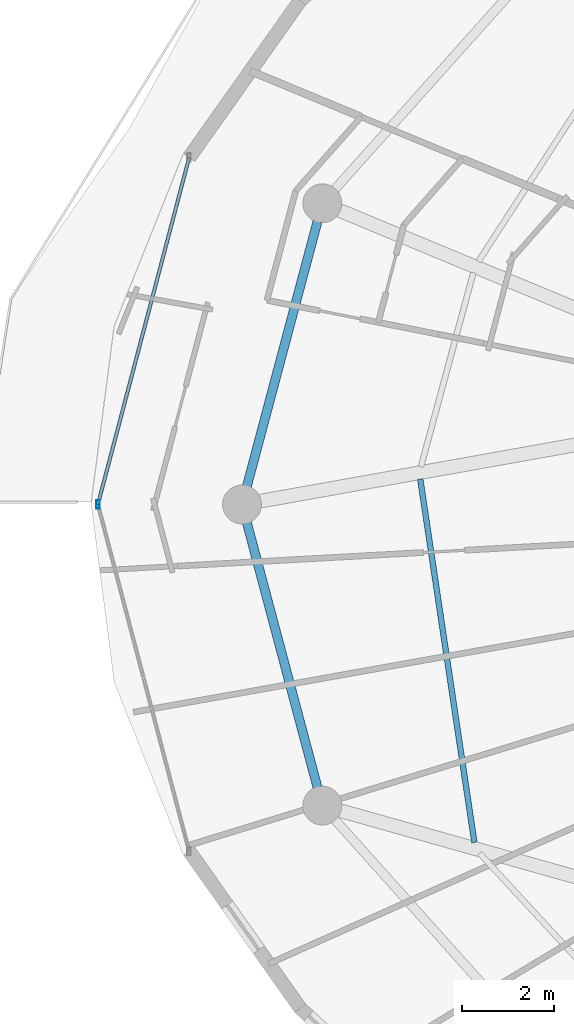
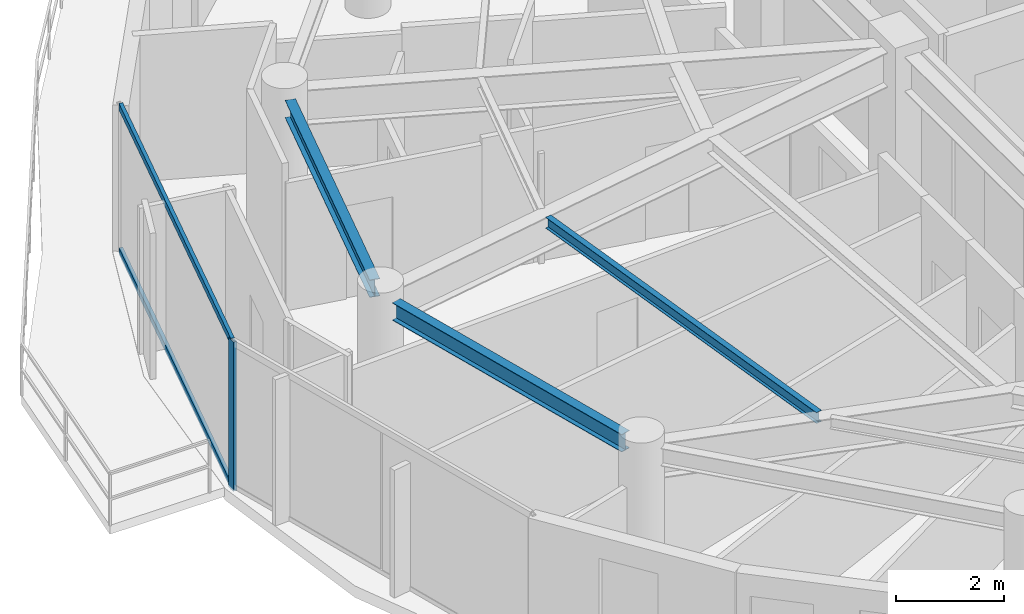
# One storey, part 6 of 29: 3 beams, 3 members, 1 element without a shape of its own.
"""IFC4 building model written with IfcOpenShell, lengths in metres."""

import ifcopenshell
import ifcopenshell.guid

model = None  # the IFC model being written
_history = None  # IfcOwnerHistory: only IFC2X3 demands one
_inside = {}  # id of a spatial element -> (the spatial element, [elements in it])
_under = {}  # id of a project, library or spatial element -> (it, [spatial elements below it])
_declared = {}  # id of a project -> (the project, [libraries it declares])
_typed = {}  # id of a type object -> (the type object, [elements of that type])
_made_of = {}  # id of a material, layer set ... -> (it, [elements and type objects made of it])


def new_model(schema):
    """Start an empty IFC model of exactly this schema.

    Asked for "IFC4X3", IfcOpenShell would pick the latest addendum, in which some entities
    have other attributes; the version numbers below select the first issue.
    IFC2X3 requires an IfcOwnerHistory on every rooted entity: one is made here for all.
    """
    global model, _history
    if schema == "IFC4X3":
        model = ifcopenshell.file(schema_version=(4, 3, 0, 0))
    else:
        model = ifcopenshell.file(schema=schema)
    _inside.clear()
    _under.clear()
    _declared.clear()
    _typed.clear()
    _made_of.clear()
    _history = None
    if model.schema == "IFC2X3":
        org = make("IfcOrganization", Name="unknown")
        user = make(
            "IfcPersonAndOrganization",
            ThePerson=make("IfcPerson", FamilyName="unknown"),
            TheOrganization=org,
        )
        app = make(
            "IfcApplication",
            ApplicationDeveloper=org,
            Version="unknown",
            ApplicationFullName="unknown",
            ApplicationIdentifier="unknown",
        )
        _history = make(
            "IfcOwnerHistory",
            OwningUser=user,
            OwningApplication=app,
            ChangeAction="ADDED",
            CreationDate=0,
        )
    return model


def make(cls, **values):
    """One entity of the class cls with the attributes given. An attribute that is None is left unset."""
    return model.create_entity(
        cls, **{name: value for name, value in values.items() if value is not None}
    )


def rooted(cls, **values):
    """An entity with a GlobalId (a new one), such as an element, a storey or a relation."""
    return make(cls, GlobalId=ifcopenshell.guid.new(), OwnerHistory=_history, **values)


def si_unit(unit_type, name, prefix=None):
    """IfcSIUnit, for example si_unit("LENGTHUNIT", "METRE", prefix="MILLI")."""
    return make("IfcSIUnit", UnitType=unit_type, Prefix=prefix, Name=name)


def assignment(units):
    """IfcUnitAssignment: the units of a project."""
    return None if units is None else make("IfcUnitAssignment", Units=units)


def point(xyz):
    """IfcCartesianPoint."""
    return None if xyz is None else make("IfcCartesianPoint", Coordinates=xyz)


def direction(xyz):
    """IfcDirection."""
    return None if xyz is None else make("IfcDirection", DirectionRatios=xyz)


def frame(location, z_axis=None, x_axis=None):
    """IfcAxis2Placement3D, a coordinate frame: its origin and axes. An axis left out is left unset."""
    return make(
        "IfcAxis2Placement3D",
        Location=point(location),
        Axis=direction(z_axis),
        RefDirection=direction(x_axis),
    )


def frame_2d(location, x_axis=None):
    """IfcAxis2Placement2D, a coordinate frame in the plane: its origin and x axis."""
    return make(
        "IfcAxis2Placement2D", Location=point(location), RefDirection=direction(x_axis)
    )


def origin():
    """The frame at (0, 0, 0) with its axes left unset."""
    return frame((0.0, 0.0, 0.0))


def origin_2d():
    """The frame at (0, 0) in the plane with its x axis left unset."""
    return frame_2d((0.0, 0.0))


def place(relative_to, where):
    """IfcLocalPlacement: puts the frame where relative to a parent placement (None: the world)."""
    return make(
        "IfcLocalPlacement", PlacementRelTo=relative_to, RelativePlacement=where
    )


def context(
    kind, dimensions, precision=None, world=None, true_north=None, identifier=None
):
    """IfcGeometricRepresentationContext, for example the 3D "Model" context."""
    return make(
        "IfcGeometricRepresentationContext",
        ContextIdentifier=identifier,
        ContextType=kind,
        CoordinateSpaceDimension=dimensions,
        Precision=precision,
        WorldCoordinateSystem=world,
        TrueNorth=true_north,
    )


def subcontext(parent, identifier, kind, view, scale=None):
    """IfcGeometricRepresentationSubContext, for example "Body" below "Model"."""
    return make(
        "IfcGeometricRepresentationSubContext",
        ContextIdentifier=identifier,
        ContextType=kind,
        ParentContext=parent,
        TargetScale=scale,
        TargetView=view,
    )


def project(units=None, contexts=None):
    """IfcProject with its units and contexts."""
    return rooted(
        "IfcProject",
        Name="project",
        RepresentationContexts=contexts,
        UnitsInContext=assignment(units),
    )


def spatial(cls, under=None, at=None, **own):
    """A site, building, storey or space (cls), placed at a placement, below another one or the project."""
    s = rooted(cls, ObjectPlacement=at, **own)
    if under is not None:
        _under.setdefault(under.id(), (under, []))[1].append(s)
    return s


def profile(cls, at=None, kind="AREA", **sizes):
    """A parametric profile (cls). Its sizes go by their IFC names, for example OverallWidth=200.0."""
    return make(cls, ProfileType=kind, Position=at, **sizes)


def hollow_rectangle(**sizes):
    """IfcRectangleHollowProfileDef."""
    return profile("IfcRectangleHollowProfileDef", **sizes)


def i_section(**sizes):
    """IfcIShapeProfileDef."""
    return profile("IfcIShapeProfileDef", **sizes)


def extrude(swept, where, along, depth):
    """IfcExtrudedAreaSolid: the profile swept, set in the frame where, extruded along a direction by depth."""
    return make(
        "IfcExtrudedAreaSolid",
        SweptArea=swept,
        Position=where,
        ExtrudedDirection=direction(along),
        Depth=depth,
    )


def shape(context_of_items, identifier, shape_type, items):
    """IfcShapeRepresentation: the items that make up one representation, for example the "Body"."""
    return make(
        "IfcShapeRepresentation",
        ContextOfItems=context_of_items,
        RepresentationIdentifier=identifier,
        RepresentationType=shape_type,
        Items=items,
    )


def material(Name=None, Category=None):
    """IfcMaterial."""
    return make("IfcMaterial", Name=Name, Category=Category)


def material_profile(
    of_material, cross_section, Name=None, Category=None, Priority=None
):
    """IfcMaterialProfile: a cross section and its material."""
    return make(
        "IfcMaterialProfile",
        Name=Name,
        Material=of_material,
        Profile=cross_section,
        Priority=Priority,
        Category=Category,
    )


def profile_set(profiles, Name=None, composite=None):
    """IfcMaterialProfileSet."""
    return make(
        "IfcMaterialProfileSet",
        Name=Name,
        MaterialProfiles=profiles,
        CompositeProfile=composite,
    )


def made_of(thing, what):
    """Note that an element or type object is made of a material, layer set ...; save() writes the relation."""
    if what is not None:
        _made_of.setdefault(what.id(), (what, []))[1].append(thing)
    return thing


def type_object(cls, material=None, **own):
    """A type object (cls), such as IfcWallType, which elements share."""
    return made_of(rooted(cls, **own), material)


def element(
    cls,
    number,
    at=None,
    inside=None,
    cuts=None,
    type_object=None,
    material=None,
    context=None,
    identifier="Body",
    shape_type=None,
    held_by="IfcProductDefinitionShape",
    body=None,
    shapes=None,
    **own,
):
    """One element of the class cls, such as IfcWall. Its Tag is "e" and its number.

    at: its placement. inside: the storey or other place that contains it. cuts: it is an
    opening in that element (IfcRelVoidsElement). A single representation is given by context,
    identifier, shape_type and body (its items); several are given by shapes. held_by: the class
    of the entity that holds the representations. save() writes the other relations.
    """
    e = rooted(cls, Tag="e%d" % number, ObjectPlacement=at, **own)
    if body is not None:
        shapes = [shape(context, identifier, shape_type, body)]
    if shapes is not None:
        e.Representation = make(held_by, Representations=shapes)
    if inside is not None:
        _inside.setdefault(inside.id(), (inside, []))[1].append(e)
    if cuts is not None:
        rooted(
            "IfcRelVoidsElement", RelatingBuildingElement=cuts, RelatedOpeningElement=e
        )
    if type_object is not None:
        _typed.setdefault(type_object.id(), (type_object, []))[1].append(e)
    return made_of(e, material)


def aggregate(whole, parts):
    """IfcRelAggregates: a whole, such as a stair, and the parts it consists of."""
    return rooted("IfcRelAggregates", RelatingObject=whole, RelatedObjects=parts)


def save(model, path):
    """Write the relations noted so far, then the file.

    IfcRelAggregates (storeys below a building ...), IfcRelContainedInSpatialStructure (elements
    in a storey), IfcRelDefinesByType, IfcRelAssociatesMaterial and IfcRelDeclares: one each for
    every whole, place, type object, material and project.
    """
    for whole, parts in _under.values():
        aggregate(whole, parts)
    for where, things in _inside.values():
        rooted(
            "IfcRelContainedInSpatialStructure",
            RelatedElements=things,
            RelatingStructure=where,
        )
    for kind, things in _typed.values():
        rooted("IfcRelDefinesByType", RelatedObjects=things, RelatingType=kind)
    for what, things in _made_of.values():
        rooted("IfcRelAssociatesMaterial", RelatedObjects=things, RelatingMaterial=what)
    for by, libraries in _declared.values():
        rooted("IfcRelDeclares", RelatingContext=by, RelatedDefinitions=libraries)
    model.write(path)


model = new_model("IFC4")

# Units and contexts
model_context = context("Model", 3, precision=1e-05, world=origin(), true_north=direction((0.0, 1.0)))
body_context = subcontext(model_context, "Body", "Model", "MODEL_VIEW")
ifc_project = project(units=[si_unit("LENGTHUNIT", "METRE"), si_unit("AREAUNIT", "SQUARE_METRE"), si_unit("VOLUMEUNIT", "CUBIC_METRE"), si_unit("PLANEANGLEUNIT", "RADIAN"), si_unit("MASSUNIT", "GRAM", prefix="KILO")], contexts=[model_context])

# Site, building, storey
site_placement = place(None, origin())
site = spatial("IfcSite", under=ifc_project, at=site_placement, CompositionType="ELEMENT")
building_placement = place(site_placement, origin())
building = spatial("IfcBuilding", under=site, at=building_placement, Name="Vorneva Point Tower", CompositionType="ELEMENT")
storey_placement = place(building_placement, frame((0.0, 0.0, 255.550048828125)))
storey = spatial("IfcBuildingStorey", under=building, at=storey_placement, Name="L69", CompositionType="ELEMENT", Elevation=255.550048828125)

# Beams
ifc_material_1 = material(Name="Steel S355", Category="steel")
ifc_material_profile_1 = material_profile(ifc_material_1, i_section(OverallWidth=0.1240234375, OverallDepth=0.248046875, WebThickness=0.0048828125, FlangeThickness=0.008056640625, at=origin_2d()), Name="25B1")
ifc_profile_set_1 = profile_set([ifc_material_profile_1], Name="Steel S355")
beam_type_1 = type_object("IfcBeamType", Name="BM-JST-25B1", PredefinedType="JOIST", material=ifc_profile_set_1)
beam_placement = place(storey_placement, frame((18.844482421875, 26.556396484375, 3.166015625), z_axis=(0.147381541566, -0.989079714283, 0.0), x_axis=(0.989079714283, 0.147381541566, 0.0)))
element("IfcBeam", 1, at=beam_placement, inside=storey, type_object=beam_type_1, Name="L69 Secondary Floor Beam 1.09", PredefinedType="JOIST", context=body_context, shape_type="SweptSolid", body=[
    extrude(i_section(OverallWidth=0.1240234375, OverallDepth=0.248046875, WebThickness=0.0048828125, FlangeThickness=0.008056640625, at=origin_2d()), origin(), (0.0, 0.0, 1.0), 8.03076171875),
])
ifc_material_profile_2 = material_profile(ifc_material_1, i_section(OverallWidth=0.198974609375, OverallDepth=0.39599609375, WebThickness=0.007080078125, FlangeThickness=0.010986328125, at=origin_2d()), Name="40B1")
ifc_profile_set_2 = profile_set([ifc_material_profile_2], Name="Steel S355")
beam_type_2 = type_object("IfcBeamType", Name="BM-SPN-40B1", PredefinedType="SPANDREL", material=ifc_profile_set_2)
for number, where, z_axis, x_axis, name in (
    (2, (16.59912109375, 32.18603515625, 3.092041015625), (-0.257586570866, -0.966255224312, 0.0), (0.966255224312, -0.257586570866, 0.0), "L69 Perimeter Spandrel Ring Beam 08"),
    (3, (15.0556640625, 25.603759765625, 3.092041015625), (0.257586570866, -0.966255224312, 0.0), (0.966255224312, 0.257586570866, 0.0), "L69 Perimeter Spandrel Ring Beam 09"),
):
    element("IfcBeam", number, at=place(storey_placement, frame(where, z_axis=z_axis, x_axis=x_axis)), inside=storey, type_object=beam_type_2, Name=name, PredefinedType="SPANDREL", context=body_context, shape_type="SweptSolid", body=[
        extrude(i_section(OverallWidth=0.198974609375, OverallDepth=0.39599609375, WebThickness=0.007080078125, FlangeThickness=0.010986328125, at=origin_2d()), origin(), (0.0, 0.0, 1.0), 5.991943359375),
    ])

# Curtain wall, members
ifc_material_2 = material(Name="Pale anodised aluminium", Category="aluminium")
curtain_wall_type = type_object("IfcCurtainWallType", Name="CW-RES-SYS", PredefinedType="NOTDEFINED", material=ifc_material_2)
curtain_wall_placement = place(storey_placement, origin())
curtain_wall = element("IfcCurtainWall", 4, at=curtain_wall_placement, inside=storey, type_object=curtain_wall_type, Name="L69 Unitised Curtain Wall CW-L69-R03", PredefinedType="NOTDEFINED")
ifc_material_profile_3 = material_profile(ifc_material_2, hollow_rectangle(XDim=0.074951171875, YDim=0.179931640625, WallThickness=0.00390625, at=origin_2d()), Name="AL-MUL 180x75x4")
ifc_profile_set_3 = profile_set([ifc_material_profile_3], Name="Pale anodised aluminium")
member_type_1 = type_object("IfcMemberType", Name="CW-MUL-180", PredefinedType="MULLION", material=ifc_profile_set_3)
member_1_placement = place(storey_placement, frame((11.800048828125, 26.0, -0.0400390625), z_axis=(0.0, 0.0, 1.0), x_axis=(1.0, 0.0, 0.0)))
member_1 = element("IfcMember", 5, at=member_1_placement, type_object=member_type_1, Name="CW-L69-R03 Mullion 02", PredefinedType="MULLION", context=body_context, shape_type="SweptSolid", body=[
    extrude(hollow_rectangle(XDim=0.074951171875, YDim=0.179931640625, WallThickness=0.00390625, at=origin_2d()), origin(), (0.0, 0.0, 1.0), 3.360107421875),
])
ifc_material_profile_4 = material_profile(ifc_material_2, hollow_rectangle(XDim=0.074951171875, YDim=0.14990234375, WallThickness=0.00390625, at=origin_2d()), Name="AL-TRN 150x75x4")
ifc_profile_set_4 = profile_set([ifc_material_profile_4], Name="Pale anodised aluminium")
member_type_2 = type_object("IfcMemberType", Name="CW-TRN-150", PredefinedType="USERDEFINED", material=ifc_profile_set_4)
member_2_placement = place(storey_placement, frame((13.79443359375, 33.5810546875, 0.02001953125), z_axis=(-0.254418180926, -0.967094302131, 0.0), x_axis=(0.967094302131, -0.254418180926, 0.0)))
member_2 = element("IfcMember", 6, at=member_2_placement, type_object=member_type_2, Name="CW-L69-R03 Transom 01.1", ObjectType="TRANSOM", PredefinedType="USERDEFINED", context=body_context, shape_type="SweptSolid", body=[
    extrude(hollow_rectangle(XDim=0.074951171875, YDim=0.14990234375, WallThickness=0.00390625, at=origin_2d()), origin(), (0.0, 0.0, 1.0), 7.839111328125),
])
member_3_placement = place(storey_placement, frame((13.79443359375, 33.5810546875, 3.27001953125), z_axis=(-0.254418180926, -0.967094302131, 0.0), x_axis=(0.967094302131, -0.254418180926, 0.0)))
member_3 = element("IfcMember", 7, at=member_3_placement, type_object=member_type_2, Name="CW-L69-R03 Transom 01.2", ObjectType="TRANSOM", PredefinedType="USERDEFINED", context=body_context, shape_type="SweptSolid", body=[
    extrude(hollow_rectangle(XDim=0.074951171875, YDim=0.14990234375, WallThickness=0.00390625, at=origin_2d()), origin(), (0.0, 0.0, 1.0), 7.839111328125),
])
aggregate(curtain_wall, [member_1, member_2, member_3])

save(model, "model.ifc")
